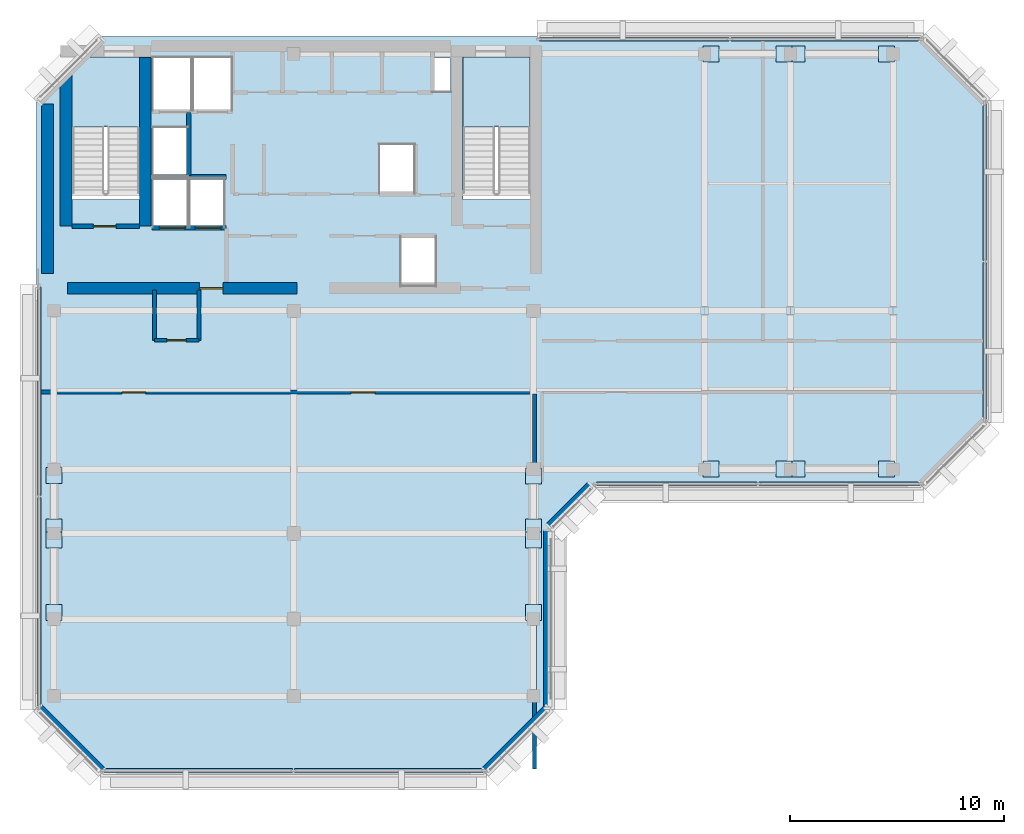
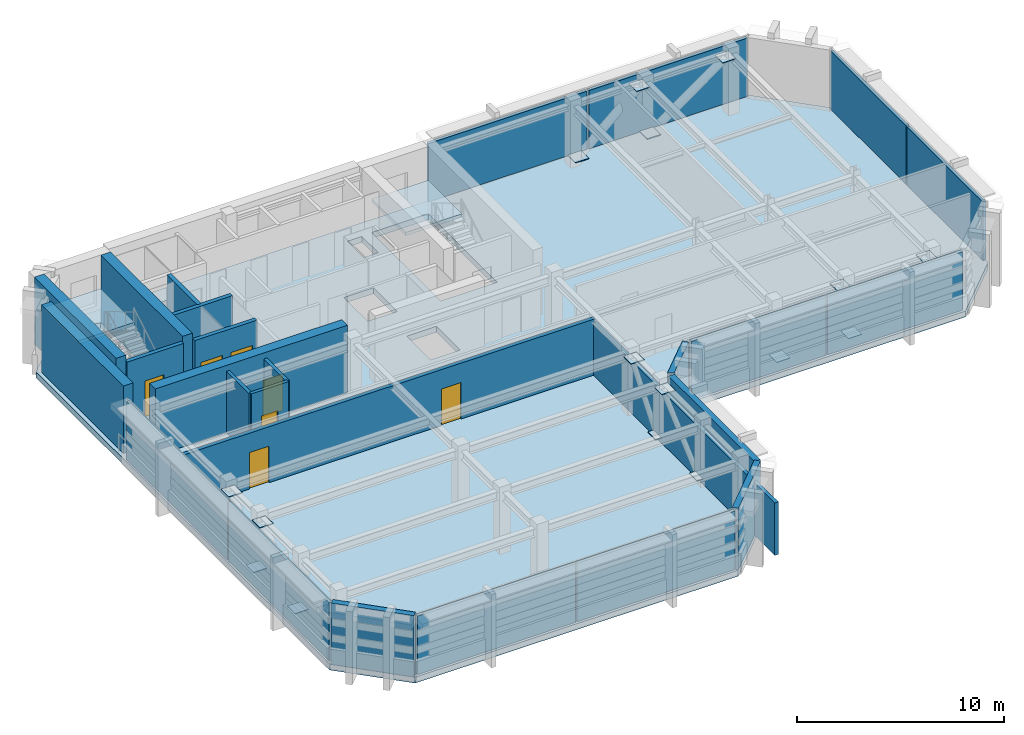
# One storey, part 4 of 9: 26 plates, 17 walls, 7 doors, 3 slabs, 7 openings, 7 elements without a shape of their own.
"""IFC4 building model written with IfcOpenShell, lengths in metres."""

from ifc_helpers import new_model, si_unit, direction, frame, frame_2d, origin, origin_2d, place, context, subcontext, project, spatial, polyline, rectangle, outline, extrude, material, layer, layer_set, type_object, element, fill, aggregate, save


model = new_model("IFC4")

# Units and contexts
model_context = context("Model", 3, precision=1e-05, world=origin(), true_north=direction((0.0, 1.0)))
body_context = subcontext(model_context, "Body", "Model", "MODEL_VIEW")
ifc_project = project(units=[si_unit("LENGTHUNIT", "METRE"), si_unit("AREAUNIT", "SQUARE_METRE"), si_unit("VOLUMEUNIT", "CUBIC_METRE"), si_unit("PLANEANGLEUNIT", "RADIAN"), si_unit("MASSUNIT", "GRAM", prefix="KILO")], contexts=[model_context])

# Site, building, storey
site_placement = place(None, origin())
site = spatial("IfcSite", under=ifc_project, at=site_placement, CompositionType="ELEMENT")
building_placement = place(site_placement, origin())
building = spatial("IfcBuilding", under=site, at=building_placement, Name="Kefirva Bronze Tower", CompositionType="ELEMENT")
storey_placement = place(building_placement, frame((0.0, 0.0, 365.969970703125)))
storey = spatial("IfcBuildingStorey", under=building, at=storey_placement, Name="L89", CompositionType="ELEMENT", Elevation=365.969970703125)

# Curtain wall, plates
ifc_material_1 = material(Name="Bronze anodised aluminium", Category="aluminium")
ifc_layer_1 = layer(ifc_material_1, 0.219970703125, Name="Bronze anodised aluminium")
ifc_layer_set_1 = layer_set([ifc_layer_1], Name="Bronze anodised aluminium")
curtain_wall_type = type_object("IfcCurtainWallType", Name="Refuge Acoustic Louvre Curtain Screen", PredefinedType="USERDEFINED", material=ifc_layer_set_1)
curtain_wall_1_placement = place(storey_placement, origin())
curtain_wall_1 = element("IfcCurtainWall", 1, at=curtain_wall_1_placement, inside=storey, type_object=curtain_wall_type, Name="L89 Curtain Wall 1", ObjectType="LOUVRE SCREEN WALL", PredefinedType="USERDEFINED")
ifc_layer_2 = layer(ifc_material_1, 0.179931640625, Name="Bronze anodised aluminium")
ifc_layer_set_2 = layer_set([ifc_layer_2], Name="Bronze anodised aluminium")
plate_type_1 = type_object("IfcPlateType", Name="Acoustic Weather Louvre Panel 180mm", PredefinedType="CURTAIN_PANEL", material=ifc_layer_set_2)
plate_1_placement = place(storey_placement, frame((7.550048828125, 11.719970703125, 0.08984375), z_axis=(0.0, 0.0, 1.0), x_axis=(1.0, 0.0, 0.0)))
plate_1 = element("IfcPlate", 2, at=plate_1_placement, type_object=plate_type_1, Name="CW-06 panel 1.1", PredefinedType="CURTAIN_PANEL", context=body_context, shape_type="SweptSolid", body=[
    extrude(rectangle(XDim=8.81005859375, YDim=0.179931640625, at=origin_2d()), origin(), (0.0, 0.0, 1.0), 3.429931640625),
])
plate_2_placement = place(storey_placement, frame((16.449951171875, 11.719970703125, 0.08984375), z_axis=(0.0, 0.0, 1.0), x_axis=(1.0, 0.0, 0.0)))
plate_2 = element("IfcPlate", 3, at=plate_2_placement, type_object=plate_type_1, Name="CW-06 panel 2.1", PredefinedType="CURTAIN_PANEL", context=body_context, shape_type="SweptSolid", body=[
    extrude(rectangle(XDim=8.81005859375, YDim=0.179931640625, at=origin_2d()), origin(), (0.0, 0.0, 1.0), 3.429931640625),
])
aggregate(curtain_wall_1, [plate_1, plate_2])

curtain_wall_2_placement = place(storey_placement, origin())
curtain_wall_2 = element("IfcCurtainWall", 4, at=curtain_wall_2_placement, inside=storey, type_object=curtain_wall_type, Name="L89 Curtain Wall 2", ObjectType="LOUVRE SCREEN WALL", PredefinedType="USERDEFINED")
plate_3_placement = place(storey_placement, frame((29.89990234375, 25.1201171875, 0.08984375), z_axis=(0.0, 0.0, 1.0), x_axis=(1.0, 0.0, 0.0)))
plate_3 = element("IfcPlate", 5, at=plate_3_placement, type_object=plate_type_1, Name="CW-06 panel 1.1", PredefinedType="CURTAIN_PANEL", context=body_context, shape_type="SweptSolid", body=[
    extrude(rectangle(XDim=7.510009765625, YDim=0.179931640625, at=origin_2d()), origin(), (0.0, 0.0, 1.0), 3.429931640625),
])
plate_4_placement = place(storey_placement, frame((37.5, 25.1201171875, 0.08984375), z_axis=(0.0, 0.0, 1.0), x_axis=(1.0, 0.0, 0.0)))
plate_4 = element("IfcPlate", 6, at=plate_4_placement, type_object=plate_type_1, Name="CW-06 panel 2.1", PredefinedType="CURTAIN_PANEL", context=body_context, shape_type="SweptSolid", body=[
    extrude(rectangle(XDim=7.510009765625, YDim=0.179931640625, at=origin_2d()), origin(), (0.0, 0.0, 1.0), 3.429931640625),
])
aggregate(curtain_wall_2, [plate_3, plate_4])

curtain_wall_3_placement = place(storey_placement, origin())
curtain_wall_3 = element("IfcCurtainWall", 7, at=curtain_wall_3_placement, inside=storey, type_object=curtain_wall_type, Name="L89 Curtain Wall 3", ObjectType="LOUVRE SCREEN WALL", PredefinedType="USERDEFINED")
plate_5_placement = place(storey_placement, frame((44.280029296875, 31.800048828125, 0.08984375), z_axis=(0.0, 0.0, 1.0), x_axis=(0.0, 1.0, 0.0)))
plate_5 = element("IfcPlate", 8, at=plate_5_placement, type_object=plate_type_1, Name="CW-06 panel 1.1", PredefinedType="CURTAIN_PANEL", context=body_context, shape_type="SweptSolid", body=[
    extrude(rectangle(XDim=7.31005859375, YDim=0.179931640625, at=origin_2d()), origin(), (0.0, 0.0, 1.0), 3.429931640625),
])
plate_6_placement = place(storey_placement, frame((44.280029296875, 39.199951171875, 0.08984375), z_axis=(0.0, 0.0, 1.0), x_axis=(0.0, 1.0, 0.0)))
plate_6 = element("IfcPlate", 9, at=plate_6_placement, type_object=plate_type_1, Name="CW-06 panel 2.1", PredefinedType="CURTAIN_PANEL", context=body_context, shape_type="SweptSolid", body=[
    extrude(rectangle(XDim=7.31005859375, YDim=0.179931640625, at=origin_2d()), origin(), (0.0, 0.0, 1.0), 3.429931640625),
])
aggregate(curtain_wall_3, [plate_5, plate_6])

curtain_wall_4_placement = place(storey_placement, origin())
curtain_wall_4 = element("IfcCurtainWall", 10, at=curtain_wall_4_placement, inside=storey, type_object=curtain_wall_type, Name="L89 Curtain Wall 4", ObjectType="LOUVRE SCREEN WALL", PredefinedType="USERDEFINED")
plate_7_placement = place(storey_placement, frame((36.83740234375, 45.8798828125, 0.08984375), z_axis=(0.0, 0.0, 1.0), x_axis=(-1.0, 0.0, 0.0)))
plate_7 = element("IfcPlate", 11, at=plate_7_placement, type_object=plate_type_1, Name="CW-06 panel 1.1", PredefinedType="CURTAIN_PANEL", context=body_context, shape_type="SweptSolid", body=[
    extrude(rectangle(XDim=8.8349609375, YDim=0.179931640625, at=origin_2d()), origin(), (0.0, 0.0, 1.0), 3.429931640625),
])
plate_8_placement = place(storey_placement, frame((27.91259765625, 45.8798828125, 0.08984375), z_axis=(0.0, 0.0, 1.0), x_axis=(-1.0, 0.0, 0.0)))
plate_8 = element("IfcPlate", 12, at=plate_8_placement, type_object=plate_type_1, Name="CW-06 panel 2.1", PredefinedType="CURTAIN_PANEL", context=body_context, shape_type="SweptSolid", body=[
    extrude(rectangle(XDim=8.8349609375, YDim=0.179931640625, at=origin_2d()), origin(), (0.0, 0.0, 1.0), 3.429931640625),
])
aggregate(curtain_wall_4, [plate_7, plate_8])

curtain_wall_5_placement = place(storey_placement, origin())
curtain_wall_5 = element("IfcCurtainWall", 13, at=curtain_wall_5_placement, inside=storey, type_object=curtain_wall_type, Name="L89 Curtain Wall 5", ObjectType="LOUVRE SCREEN WALL", PredefinedType="USERDEFINED")
plate_9_placement = place(storey_placement, frame((0.1201171875, 29.4375, 0.08984375), z_axis=(0.0, 0.0, 1.0), x_axis=(0.0, -1.0, 0.0)))
plate_9 = element("IfcPlate", 14, at=plate_9_placement, type_object=plate_type_1, Name="CW-06 panel 1.1", PredefinedType="CURTAIN_PANEL", context=body_context, shape_type="SweptSolid", body=[
    extrude(rectangle(XDim=9.735107421875, YDim=0.179931640625, at=origin_2d()), origin(), (0.0, 0.0, 1.0), 3.429931640625),
])
plate_10_placement = place(storey_placement, frame((0.1201171875, 19.612548828125, 0.08984375), z_axis=(0.0, 0.0, 1.0), x_axis=(0.0, -1.0, 0.0)))
plate_10 = element("IfcPlate", 15, at=plate_10_placement, type_object=plate_type_1, Name="CW-06 panel 2.1", PredefinedType="CURTAIN_PANEL", context=body_context, shape_type="SweptSolid", body=[
    extrude(rectangle(XDim=9.735107421875, YDim=0.179931640625, at=origin_2d()), origin(), (0.0, 0.0, 1.0), 3.429931640625),
])
aggregate(curtain_wall_5, [plate_9, plate_10])

# Slab
ifc_material_2 = material(Name="Concrete C50/60", Category="concrete")
ifc_layer_3 = layer(ifc_material_2, 0.35009765625, Name="Concrete C50/60")
ifc_layer_set_3 = layer_set([ifc_layer_3], Name="Concrete C50/60")
slab_type_1 = type_object("IfcSlabType", Name="RC Refuge Plant Slab 350mm", PredefinedType="FLOOR", material=ifc_layer_set_3)
slab_1_placement = place(storey_placement, frame((0.0, 0.0, -0.349853515625)))
element("IfcSlab", 16, at=slab_1_placement, inside=storey, type_object=slab_type_1, Name="L89 Structural Floor Slab", PredefinedType="FLOOR", context=body_context, shape_type="SweptSolid", body=[
    extrude(outline(polyline([(0.0, 14.60009765625), (0.0, 43.0), (1.64990234375, 44.64990234375), (1.64990234375, 38.39990234375), (4.800048828125, 38.39990234375), (4.800048828125, 45.050048828125), (2.050048828125, 45.050048828125), (3.0, 46.0), (41.39990234375, 46.0), (44.39990234375, 43.0), (44.39990234375, 28.0), (41.39990234375, 25.0), (26.0, 25.0), (24.0, 23.0), (24.0, 14.60009765625), (21.0, 11.60009765625), (3.0, 11.60009765625), (0.0, 14.60009765625)]), holes=[polyline([(23.050048828125, 45.050048828125), (19.89990234375, 45.050048828125), (19.89990234375, 38.39990234375), (23.050048828125, 38.39990234375), (23.050048828125, 45.050048828125)]), polyline([(19.320068359375, 43.419921875), (19.320068359375, 45.0), (18.52001953125, 45.0), (18.52001953125, 43.419921875), (19.320068359375, 43.419921875)]), polyline([(18.64990234375, 36.64990234375), (17.0, 36.64990234375), (17.0, 34.35009765625), (18.64990234375, 34.35009765625), (18.64990234375, 36.64990234375)]), polyline([(17.64990234375, 38.679931640625), (17.64990234375, 40.97998046875), (16.0, 40.97998046875), (16.0, 38.679931640625), (17.64990234375, 38.679931640625)]), polyline([(9.1201171875, 42.550048828125), (9.1201171875, 45.050048828125), (7.300048828125, 45.050048828125), (7.300048828125, 42.550048828125), (9.1201171875, 42.550048828125)]), polyline([(8.780029296875, 39.39990234375), (7.139892578125, 39.39990234375), (7.139892578125, 37.10009765625), (8.780029296875, 37.10009765625), (8.780029296875, 39.39990234375)]), polyline([(7.239990234375, 45.050048828125), (5.419921875, 45.050048828125), (5.419921875, 42.550048828125), (7.239990234375, 42.550048828125), (7.239990234375, 45.050048828125)]), polyline([(7.06005859375, 39.47998046875), (7.06005859375, 41.780029296875), (5.419921875, 41.780029296875), (5.419921875, 39.47998046875), (7.06005859375, 39.47998046875)]), polyline([(7.06005859375, 39.39990234375), (5.419921875, 39.39990234375), (5.419921875, 37.10009765625), (7.06005859375, 37.10009765625), (7.06005859375, 39.39990234375)])]), origin(), (0.0, 0.0, 1.0), 0.349853515625),
])

# Stair, slab
ifc_material_3 = material(Name="Concrete C40/50", Category="concrete")
stair_type = type_object("IfcStairType", Name="RC Dogleg Protected Stair 24R", PredefinedType="HALF_TURN_STAIR", material=ifc_material_3)
stair_1_placement = place(storey_placement, origin())
stair_1 = element("IfcStair", 17, at=stair_1_placement, inside=storey, type_object=stair_type, Name="L89 Protected Exit Stair 1", PredefinedType="HALF_TURN_STAIR")
ifc_layer_4 = layer(ifc_material_3, 0.199951171875, Name="Concrete C40/50")
ifc_layer_set_4 = layer_set([ifc_layer_4], Name="Concrete C40/50")
slab_type_2 = type_object("IfcSlabType", Name="RC Stair Landing Slab 200mm", PredefinedType="LANDING", material=ifc_layer_set_4)
slab_2_placement = place(storey_placement, frame((0.0, 0.0, 1.780029296875)))
slab_2 = element("IfcSlab", 18, at=slab_2_placement, type_object=slab_type_2, Name="ST-1 landing 1", PredefinedType="LANDING", context=body_context, shape_type="SweptSolid", body=[
    extrude(outline(polyline([(4.800048828125, 41.780029296875), (4.800048828125, 45.050048828125), (1.64990234375, 45.050048828125), (1.64990234375, 41.780029296875), (4.800048828125, 41.780029296875)])), origin(), (0.0, 0.0, 1.0), 0.199951171875),
])
aggregate(stair_1, [slab_2])

stair_2_placement = place(storey_placement, origin())
stair_2 = element("IfcStair", 19, at=stair_2_placement, inside=storey, type_object=stair_type, Name="L89 Protected Exit Stair 2", PredefinedType="HALF_TURN_STAIR")
slab_3_placement = place(storey_placement, frame((0.0, 0.0, 1.780029296875)))
slab_3 = element("IfcSlab", 20, at=slab_3_placement, type_object=slab_type_2, Name="ST-2 landing 1", PredefinedType="LANDING", context=body_context, shape_type="SweptSolid", body=[
    extrude(outline(polyline([(23.050048828125, 41.780029296875), (23.050048828125, 45.050048828125), (19.89990234375, 45.050048828125), (19.89990234375, 41.780029296875), (23.050048828125, 41.780029296875)])), origin(), (0.0, 0.0, 1.0), 0.199951171875),
])
aggregate(stair_2, [slab_3])

# Plates
ifc_material_4 = material(Name="Steel S460", Category="steel")
ifc_layer_5 = layer(ifc_material_4, 0.0400390625, Name="Steel S460")
ifc_layer_set_5 = layer_set([ifc_layer_5], Name="Steel S460")
plate_type_2 = type_object("IfcPlateType", Name="Steel Node Gusset Plate 40mm", PredefinedType="USERDEFINED", material=ifc_layer_set_5)
for number, where, z_axis, x_axis, name in (
    (21, (0.800048828125, 19.10009765625, 0.280029296875), (0.0, 0.0, 1.0), (1.0, 0.0, 0.0), "L89 Belt Node Gusset 1-1"),
    (22, (0.800048828125, 22.5, 3.2900390625), (0.0, 0.0, 1.0), (1.0, 0.0, 0.0), "L89 Belt Node Gusset 1-2"),
    (23, (0.800048828125, 23.10009765625, 0.280029296875), (0.0, 0.0, 1.0), (1.0, 0.0, 0.0), "L89 Belt Node Gusset 2-1"),
    (24, (0.800048828125, 25.5, 3.2900390625), (0.0, 0.0, 1.0), (1.0, 0.0, 0.0), "L89 Belt Node Gusset 2-2"),
    (25, (23.199951171875, 19.10009765625, 0.280029296875), (0.0, 0.0, 1.0), (1.0, 0.0, 0.0), "L89 Belt Node Gusset 3-1"),
    (26, (23.199951171875, 22.5, 3.2900390625), (0.0, 0.0, 1.0), (1.0, 0.0, 0.0), "L89 Belt Node Gusset 3-2"),
    (27, (23.199951171875, 23.10009765625, 0.280029296875), (0.0, 0.0, 1.0), (1.0, 0.0, 0.0), "L89 Belt Node Gusset 4-1"),
    (28, (23.199951171875, 25.47998046875, 3.2900390625), (0.0, 0.0, 1.0), (1.0, 0.0, 0.0), "L89 Belt Node Gusset 4-2"),
    (29, (31.5, 25.800048828125, 0.280029296875), (0.0, 0.0, 1.0), (1.0, 0.0, 0.0), "L89 Belt Node Gusset 5-1"),
    (30, (34.89990234375, 25.800048828125, 3.2900390625), (0.0, 0.0, 1.0), (1.0, 0.0, 0.0), "L89 Belt Node Gusset 5-2"),
    (31, (35.5, 25.800048828125, 0.280029296875), (0.0, 0.0, 1.0), (1.0, 0.0, 0.0), "L89 Belt Node Gusset 6-1"),
    (32, (39.699951171875, 25.800048828125, 3.2900390625), (0.0, 0.0, 1.0), (1.0, 0.0, 0.0), "L89 Belt Node Gusset 6-2"),
    (33, (31.5, 45.199951171875, 0.280029296875), (0.0, 0.0, 1.0), (1.0, 0.0, 0.0), "L89 Belt Node Gusset 7-1"),
    (34, (34.89990234375, 45.199951171875, 3.2900390625), (0.0, 0.0, 1.0), (1.0, 0.0, 0.0), "L89 Belt Node Gusset 7-2"),
    (35, (35.5, 45.199951171875, 0.280029296875), (0.0, 0.0, 1.0), (1.0, 0.0, 0.0), "L89 Belt Node Gusset 8-1"),
    (36, (39.699951171875, 45.199951171875, 3.2900390625), (0.0, 0.0, 1.0), (1.0, 0.0, 0.0), "L89 Belt Node Gusset 8-2"),
):
    element("IfcPlate", number, at=place(storey_placement, frame(where, z_axis=z_axis, x_axis=x_axis)), inside=storey, type_object=plate_type_2, Name=name, ObjectType="GUSSET PLATE", PredefinedType="USERDEFINED", context=body_context, shape_type="SweptSolid", body=[
        extrude(rectangle(XDim=0.75, YDim=0.75, at=origin_2d()), origin(), (0.0, 0.0, 1.0), 0.0400390625),
    ])

# Wall, opening, door
ifc_material_5 = material(Name="Gypsum fireboard shaftwall")
ifc_layer_6 = layer(ifc_material_5, 0.219970703125, Name="Gypsum fireboard shaftwall")
ifc_layer_set_6 = layer_set([ifc_layer_6], Name="Gypsum fireboard shaftwall")
wall_type_1 = type_object("IfcWallType", Name="Fire-Rated Shaft Enclosure Wall 220mm", PredefinedType="PARTITIONING", material=ifc_layer_set_6)
wall_1_placement = place(storey_placement, frame((1.64990234375, 37.14990234375, 0.0), z_axis=(0.0, 0.0, 1.0), x_axis=(1.0, 0.0, 0.0)))
wall_1 = element("IfcWall", 37, at=wall_1_placement, inside=storey, type_object=wall_type_1, Name="L89 Partition W-L89-ST1S", PredefinedType="PARTITIONING", context=body_context, shape_type="SweptSolid", body=[
    extrude(rectangle(XDim=3.150146484375, YDim=0.219970703125, at=frame_2d((1.5751953125, 0.0))), origin(), (0.0, 0.0, 1.0), 3.610107421875),
])
opening_1_placement = place(wall_1_placement, frame((2.050048828125, 0.0, 0.0), z_axis=(0.0, 0.0, 1.0), x_axis=(-1.0, 0.0, 0.0)))
opening_1 = element("IfcOpeningElement", 38, at=opening_1_placement, cuts=wall_1, Name="Opening L89-D001", PredefinedType="OPENING", context=body_context, shape_type="SweptSolid", body=[
    extrude(rectangle(XDim=1.050048828125, YDim=2.14990234375, at=frame_2d((0.52490234375, 1.074951171875))), frame((0.0, 0.1201171875, 0.0), z_axis=(0.0, -1.0, 0.0), x_axis=(1.0, 0.0, 0.0)), (0.0, 0.0, 1.0), 0.239990234375),
])
ifc_material_6 = material(Name="Painted galvanized steel", Category="steel")
door_type_1 = type_object("IfcDoorType", Name="Fire Stair Enclosure Door 1050x2150 FD90S", OperationType="NOTDEFINED", PredefinedType="DOOR", material=ifc_material_6)
door_1_placement = place(opening_1_placement, origin())
door_1 = element("IfcDoor", 39, at=door_1_placement, inside=storey, type_object=door_type_1, Name="Door L89-D001", OperationType="SINGLE_SWING_LEFT", OverallHeight=2.14990234375, OverallWidth=1.050048828125, PredefinedType="DOOR", context=body_context, shape_type="SweptSolid", body=[
    extrude(rectangle(XDim=1.050048828125, YDim=2.14990234375, at=frame_2d((0.52490234375, 1.074951171875))), frame((0.0, 0.02490234375, 0.0), z_axis=(0.0, -1.0, 0.0), x_axis=(1.0, 0.0, 0.0)), (0.0, 0.0, 1.0), 0.050048828125),
])
fill(opening_1, door_1)

# Wall, openings, doors
wall_2_placement = place(storey_placement, frame((5.3798828125, 37.080078125, 0.0), z_axis=(0.0, 0.0, 1.0), x_axis=(1.0, 0.0, 0.0)))
wall_2 = element("IfcWall", 40, at=wall_2_placement, inside=storey, type_object=wall_type_1, Name="L89 Partition W-L89-FFS", PredefinedType="PARTITIONING", context=body_context, shape_type="SweptSolid", body=[
    extrude(rectangle(XDim=3.460205078125, YDim=0.219970703125, at=frame_2d((1.72998046875, 0.0))), origin(), (0.0, 0.0, 1.0), 3.610107421875),
])
opening_2_placement = place(wall_2_placement, frame((1.550048828125, 0.0, 0.0), z_axis=(0.0, 0.0, 1.0), x_axis=(-1.0, 0.0, 0.0)))
opening_2 = element("IfcOpeningElement", 41, at=opening_2_placement, cuts=wall_2, Name="Opening L89-LD-FF1", PredefinedType="OPENING", context=body_context, shape_type="SweptSolid", body=[
    extrude(rectangle(XDim=1.199951171875, YDim=2.199951171875, at=frame_2d((0.60009765625, 1.10009765625))), frame((0.0, 0.1201171875, 0.0), z_axis=(0.0, -1.0, 0.0), x_axis=(1.0, 0.0, 0.0)), (0.0, 0.0, 1.0), 0.239990234375),
])
opening_3_placement = place(wall_2_placement, frame((3.219970703125, 0.0, 0.0), z_axis=(0.0, 0.0, 1.0), x_axis=(-1.0, 0.0, 0.0)))
opening_3 = element("IfcOpeningElement", 42, at=opening_3_placement, cuts=wall_2, Name="Opening L89-LD-FF2", PredefinedType="OPENING", context=body_context, shape_type="SweptSolid", body=[
    extrude(rectangle(XDim=1.199951171875, YDim=2.199951171875, at=frame_2d((0.60009765625, 1.10009765625))), frame((0.0, 0.1201171875, 0.0), z_axis=(0.0, -1.0, 0.0), x_axis=(1.0, 0.0, 0.0)), (0.0, 0.0, 1.0), 0.239990234375),
])
ifc_material_7 = material(Name="Stainless steel 316", Category="steel")
door_type_2 = type_object("IfcDoorType", Name="Firefighting Lift Sliding Door 1200x2200", OperationType="SLIDING_TO_RIGHT", PredefinedType="DOOR", material=ifc_material_7)
door_2_placement = place(opening_2_placement, origin())
door_2 = element("IfcDoor", 43, at=door_2_placement, inside=storey, type_object=door_type_2, Name="Door L89-LD-FF1", OperationType="SLIDING_TO_RIGHT", OverallHeight=2.199951171875, OverallWidth=1.199951171875, PredefinedType="DOOR", context=body_context, shape_type="SweptSolid", body=[
    extrude(rectangle(XDim=1.199951171875, YDim=2.199951171875, at=frame_2d((0.60009765625, 1.10009765625))), frame((0.0, 0.02490234375, 0.0), z_axis=(0.0, -1.0, 0.0), x_axis=(1.0, 0.0, 0.0)), (0.0, 0.0, 1.0), 0.050048828125),
])
fill(opening_2, door_2)
door_3_placement = place(opening_3_placement, origin())
door_3 = element("IfcDoor", 44, at=door_3_placement, inside=storey, type_object=door_type_2, Name="Door L89-LD-FF2", OperationType="SLIDING_TO_RIGHT", OverallHeight=2.199951171875, OverallWidth=1.199951171875, PredefinedType="DOOR", context=body_context, shape_type="SweptSolid", body=[
    extrude(rectangle(XDim=1.199951171875, YDim=2.199951171875, at=frame_2d((0.60009765625, 1.10009765625))), frame((0.0, 0.02490234375, 0.0), z_axis=(0.0, -1.0, 0.0), x_axis=(1.0, 0.0, 0.0)), (0.0, 0.0, 1.0), 0.050048828125),
])
fill(opening_3, door_3)

# Walls
wall_3_placement = place(storey_placement, frame((5.3798828125, 39.449951171875, 0.0), z_axis=(0.0, 0.0, 1.0), x_axis=(1.0, 0.0, 0.0)))
element("IfcWall", 45, at=wall_3_placement, inside=storey, type_object=wall_type_1, Name="L89 Partition W-L89-FFN", PredefinedType="PARTITIONING", context=body_context, shape_type="SweptSolid", body=[
    extrude(rectangle(XDim=3.460205078125, YDim=0.219970703125, at=frame_2d((1.72998046875, 0.0))), origin(), (0.0, 0.0, 1.0), 3.610107421875),
])
wall_4_placement = place(storey_placement, frame((7.10009765625, 39.52001953125, 0.0), z_axis=(0.0, 0.0, 1.0), x_axis=(0.0, 1.0, 0.0)))
element("IfcWall", 46, at=wall_4_placement, inside=storey, type_object=wall_type_1, Name="L89 Partition W-L89-HP3E", PredefinedType="PARTITIONING", context=body_context, shape_type="SweptSolid", body=[
    extrude(rectangle(XDim=2.929931640625, YDim=0.219970703125, at=frame_2d((1.46484375, 0.0))), origin(), (0.0, 0.0, 1.0), 3.610107421875),
])

# Wall, openings, doors
ifc_material_8 = material(Name="Gypsum fireboard barrier")
ifc_layer_7 = layer(ifc_material_8, 0.199951171875, Name="Gypsum fireboard barrier")
ifc_layer_set_7 = layer_set([ifc_layer_7], Name="Gypsum fireboard barrier")
wall_type_2 = type_object("IfcWallType", Name="Firefighting Lobby Barrier Wall 200mm", PredefinedType="PARTITIONING", material=ifc_layer_set_7)
wall_5_placement = place(storey_placement, frame((0.18994140625, 29.39990234375, 0.0), z_axis=(0.0, 0.0, 1.0), x_axis=(1.0, 0.0, 0.0)))
wall_5 = element("IfcWall", 47, at=wall_5_placement, inside=storey, type_object=wall_type_2, Name="L89 Partition W-L89-REFS", PredefinedType="PARTITIONING", context=body_context, shape_type="SweptSolid", body=[
    extrude(rectangle(XDim=23.06005859375, YDim=0.199951171875, at=frame_2d((11.530029296875, 0.0))), origin(), (0.0, 0.0, 1.0), 3.294921875),
])
opening_4_placement = place(wall_5_placement, frame((3.800048828125, 0.0, 0.0)))
opening_4 = element("IfcOpeningElement", 48, at=opening_4_placement, cuts=wall_5, Name="Opening L89-D-REF1", PredefinedType="OPENING", context=body_context, shape_type="SweptSolid", body=[
    extrude(rectangle(XDim=1.10009765625, YDim=2.14990234375, at=frame_2d((0.550048828125, 1.074951171875))), frame((0.0, 0.10986328125, 0.0), z_axis=(0.0, -1.0, 0.0), x_axis=(1.0, 0.0, 0.0)), (0.0, 0.0, 1.0), 0.219970703125),
])
opening_5_placement = place(wall_5_placement, frame((14.5, 0.0, 0.0)))
opening_5 = element("IfcOpeningElement", 49, at=opening_5_placement, cuts=wall_5, Name="Opening L89-D-REF2", PredefinedType="OPENING", context=body_context, shape_type="SweptSolid", body=[
    extrude(rectangle(XDim=1.10009765625, YDim=2.14990234375, at=frame_2d((0.550048828125, 1.074951171875))), frame((0.0, 0.10986328125, 0.0), z_axis=(0.0, -1.0, 0.0), x_axis=(1.0, 0.0, 0.0)), (0.0, 0.0, 1.0), 0.219970703125),
])
door_type_3 = type_object("IfcDoorType", Name="Firefighting Lobby Smoke Door 1100x2150 FD60S", OperationType="NOTDEFINED", PredefinedType="DOOR", material=ifc_material_6)
door_4_placement = place(opening_4_placement, origin())
door_4 = element("IfcDoor", 50, at=door_4_placement, inside=storey, type_object=door_type_3, Name="Door L89-D-REF1", OperationType="SINGLE_SWING_RIGHT", OverallHeight=2.14990234375, OverallWidth=1.10009765625, PredefinedType="DOOR", context=body_context, shape_type="SweptSolid", body=[
    extrude(rectangle(XDim=1.10009765625, YDim=2.14990234375, at=frame_2d((0.550048828125, 1.074951171875))), frame((0.0, 0.02490234375, 0.0), z_axis=(0.0, -1.0, 0.0), x_axis=(1.0, 0.0, 0.0)), (0.0, 0.0, 1.0), 0.050048828125),
])
fill(opening_4, door_4)
door_5_placement = place(opening_5_placement, origin())
door_5 = element("IfcDoor", 51, at=door_5_placement, inside=storey, type_object=door_type_3, Name="Door L89-D-REF2", OperationType="SINGLE_SWING_LEFT", OverallHeight=2.14990234375, OverallWidth=1.10009765625, PredefinedType="DOOR", context=body_context, shape_type="SweptSolid", body=[
    extrude(rectangle(XDim=1.10009765625, YDim=2.14990234375, at=frame_2d((0.550048828125, 1.074951171875))), frame((0.0, 0.02490234375, 0.0), z_axis=(0.0, -1.0, 0.0), x_axis=(1.0, 0.0, 0.0)), (0.0, 0.0, 1.0), 0.050048828125),
])
fill(opening_5, door_5)

# Walls
wall_6_placement = place(storey_placement, frame((23.25, 11.7900390625, 0.0), z_axis=(0.0, 0.0, 1.0), x_axis=(0.0, 1.0, 0.0)))
element("IfcWall", 52, at=wall_6_placement, inside=storey, type_object=wall_type_2, Name="L89 Partition W-L89-REFE", PredefinedType="PARTITIONING", context=body_context, shape_type="SweptSolid", body=[
    extrude(rectangle(XDim=17.510009765625, YDim=0.199951171875, at=frame_2d((8.7548828125, 0.0))), origin(), (0.0, 0.0, 1.0), 3.094970703125),
])
ifc_material_9 = material(Name="Precast concrete C40/50", Category="concrete")
ifc_layer_8 = layer(ifc_material_9, 0.320068359375, Name="Precast concrete C40/50")
ifc_layer_set_8 = layer_set([ifc_layer_8], Name="Precast concrete C40/50")
wall_type_3 = type_object("IfcWallType", Name="Precast Insulated Exterior Wall 320mm", PredefinedType="SOLIDWALL", material=ifc_layer_set_8)
wall_7_placement = place(storey_placement, frame((20.92578125, 11.751953125, 0.0), z_axis=(0.0, 0.0, 1.0), x_axis=(0.707077242712, 0.707136318428, 0.0)))
element("IfcWall", 53, at=wall_7_placement, inside=storey, type_object=wall_type_3, Name="L89 Exterior Facade Wall 1", PredefinedType="SOLIDWALL", context=body_context, shape_type="SweptSolid", body=[
    extrude(rectangle(XDim=4.132568359375, YDim=0.320068359375, at=frame_2d((2.06640625, 0.0))), origin(), (0.0, 0.0, 1.0), 3.610107421875),
])
wall_8_placement = place(storey_placement, frame((23.840087890625, 14.655029296875, 0.0), z_axis=(0.0, 0.0, 1.0), x_axis=(0.0, 1.0, 0.0)))
element("IfcWall", 54, at=wall_8_placement, inside=storey, type_object=wall_type_3, Name="L89 Exterior Facade Wall 2", PredefinedType="SOLIDWALL", context=body_context, shape_type="SweptSolid", body=[
    extrude(rectangle(XDim=8.2900390625, YDim=0.320068359375, at=frame_2d((4.14501953125, 0.0))), origin(), (0.0, 0.0, 1.0), 3.610107421875),
])
wall_9_placement = place(storey_placement, frame((23.92578125, 23.152099609375, 0.0), z_axis=(0.0, 0.0, 1.0), x_axis=(0.707106781187, 0.707106781187, 0.0)))
element("IfcWall", 55, at=wall_9_placement, inside=storey, type_object=wall_type_3, Name="L89 Exterior Facade Wall 3", PredefinedType="SOLIDWALL", context=body_context, shape_type="SweptSolid", body=[
    extrude(rectangle(XDim=2.71826171875, YDim=0.320068359375, at=frame_2d((1.359130859375, 0.0))), origin(), (0.0, 0.0, 1.0), 3.610107421875),
])
wall_10_placement = place(storey_placement, frame((0.152099609375, 14.67431640625, 0.0), z_axis=(0.0, 0.0, 1.0), x_axis=(0.707077242712, -0.707136318428, 0.0)))
element("IfcWall", 56, at=wall_10_placement, inside=storey, type_object=wall_type_3, Name="L89 Exterior Facade Wall 7", PredefinedType="SOLIDWALL", context=body_context, shape_type="SweptSolid", body=[
    extrude(rectangle(XDim=4.132568359375, YDim=0.320068359375, at=frame_2d((2.06640625, 0.0))), origin(), (0.0, 0.0, 1.0), 3.610107421875),
])
ifc_layer_9 = layer(ifc_material_2, 0.550048828125, Name="Concrete C50/60")
ifc_layer_set_9 = layer_set([ifc_layer_9], Name="Concrete C50/60")
wall_type_4 = type_object("IfcWallType", Name="RC Rear Core Exterior Wall 550mm", PredefinedType="SHEAR", material=ifc_layer_set_9)
wall_11_placement = place(storey_placement, frame((0.5, 34.949951171875, 0.0), z_axis=(0.0, 0.0, 1.0), x_axis=(0.0, 1.0, 0.0)))
element("IfcWall", 57, at=wall_11_placement, inside=storey, type_object=wall_type_4, Name="L89 Rear Core West Shear Wall", PredefinedType="SHEAR", context=body_context, shape_type="SweptSolid", body=[
    extrude(rectangle(XDim=7.900146484375, YDim=0.550048828125, at=frame_2d((3.9501953125, 0.0))), origin(), (0.0, 0.0, 1.0), 3.9599609375),
])

# Wall, opening, door
ifc_layer_10 = layer(ifc_material_2, 0.550048828125, Name="Concrete C50/60")
ifc_layer_set_10 = layer_set([ifc_layer_10], Name="Concrete C50/60")
wall_type_5 = type_object("IfcWallType", Name="RC Rear Core Interior Wall 550mm", PredefinedType="SHEAR", material=ifc_layer_set_10)
wall_12_placement = place(storey_placement, frame((1.449951171875, 34.25, 0.0), z_axis=(0.0, 0.0, 1.0), x_axis=(1.0, 0.0, 0.0)))
wall_12 = element("IfcWall", 58, at=wall_12_placement, inside=storey, type_object=wall_type_5, Name="L89 Rear Core South-West Shear Wall", PredefinedType="SHEAR", context=body_context, shape_type="SweptSolid", body=[
    extrude(rectangle(XDim=10.7099609375, YDim=0.550048828125, at=frame_2d((5.35498046875, 0.0))), origin(), (0.0, 0.0, 1.0), 3.9599609375),
])
opening_6_placement = place(wall_12_placement, frame((7.25, 0.0, 0.0), z_axis=(0.0, 0.0, 1.0), x_axis=(-1.0, 0.0, 0.0)))
opening_6 = element("IfcOpeningElement", 59, at=opening_6_placement, cuts=wall_12, Name="Opening L89-D002", PredefinedType="OPENING", context=body_context, shape_type="SweptSolid", body=[
    extrude(rectangle(XDim=1.10009765625, YDim=2.14990234375, at=frame_2d((0.550048828125, 1.074951171875))), frame((0.0, 0.28515625, 0.0), z_axis=(0.0, -1.0, 0.0), x_axis=(1.0, 0.0, 0.0)), (0.0, 0.0, 1.0), 0.570068359375),
])
door_6_placement = place(opening_6_placement, origin())
door_6 = element("IfcDoor", 60, at=door_6_placement, inside=storey, type_object=door_type_3, Name="Door L89-D002", OperationType="SINGLE_SWING_RIGHT", OverallHeight=2.14990234375, OverallWidth=1.10009765625, PredefinedType="DOOR", context=body_context, shape_type="SweptSolid", body=[
    extrude(rectangle(XDim=1.10009765625, YDim=2.14990234375, at=frame_2d((0.550048828125, 1.074951171875))), frame((0.0, 0.02490234375, 0.0), z_axis=(0.0, -1.0, 0.0), x_axis=(1.0, 0.0, 0.0)), (0.0, 0.0, 1.0), 0.050048828125),
])
fill(opening_6, door_6)

# Walls
for number, where, z_axis, x_axis, name in (
    (61, (1.3701171875, 37.14990234375, 0.0), (0.0, 0.0, 1.0), (0.0, 1.0, 0.0), "L89 Stair 1 West Shear Wall"),
    (62, (5.070068359375, 37.14990234375, 0.0), (0.0, 0.0, 1.0), (0.0, 1.0, 0.0), "L89 Stair 1 East Shear Wall"),
):
    element("IfcWall", number, at=place(storey_placement, frame(where, z_axis=z_axis, x_axis=x_axis)), inside=storey, type_object=wall_type_5, Name=name, PredefinedType="SHEAR", context=body_context, shape_type="SweptSolid", body=[
        extrude(rectangle(XDim=7.89013671875, YDim=0.550048828125, at=frame_2d((3.945068359375, 0.0))), origin(), (0.0, 0.0, 1.0), 3.9599609375),
    ])

# Wall, opening, door
ifc_material_10 = material(Name="Moisture-resistant partition")
ifc_layer_11 = layer(ifc_material_10, 0.179931640625, Name="Moisture-resistant partition")
ifc_layer_set_11 = layer_set([ifc_layer_11], Name="Moisture-resistant partition")
wall_type_6 = type_object("IfcWallType", Name="Sanitary Plumbing Chase Wall 180mm", PredefinedType="PLUMBINGWALL", material=ifc_layer_set_11)
wall_13_placement = place(storey_placement, frame((5.5, 31.820068359375, 0.0), z_axis=(0.0, 0.0, 1.0), x_axis=(1.0, 0.0, 0.0)))
wall_13 = element("IfcWall", 63, at=wall_13_placement, inside=storey, type_object=wall_type_6, Name="L89 Partition W-L89-TCS", PredefinedType="PLUMBINGWALL", context=body_context, shape_type="SweptSolid", body=[
    extrude(rectangle(XDim=2.080078125, YDim=0.179931640625, at=frame_2d((1.0400390625, 0.0))), origin(), (0.0, 0.0, 1.0), 3.610107421875),
])
opening_7_placement = place(wall_13_placement, frame((1.47998046875, 0.0, 0.0), z_axis=(0.0, 0.0, 1.0), x_axis=(-1.0, 0.0, 0.0)))
opening_7 = element("IfcOpeningElement", 64, at=opening_7_placement, cuts=wall_13, Name="Opening L89-D-TCL1", PredefinedType="OPENING", context=body_context, shape_type="SweptSolid", body=[
    extrude(rectangle(XDim=0.89990234375, YDim=2.10009765625, at=frame_2d((0.449951171875, 1.050048828125))), frame((0.0, 0.10009765625, 0.0), z_axis=(0.0, -1.0, 0.0), x_axis=(1.0, 0.0, 0.0)), (0.0, 0.0, 1.0), 0.199951171875),
])
door_type_4 = type_object("IfcDoorType", Name="Telecom & Meter Fire Door 900x2100 FD60S", OperationType="NOTDEFINED", PredefinedType="DOOR", material=ifc_material_6)
door_7_placement = place(opening_7_placement, origin())
door_7 = element("IfcDoor", 65, at=door_7_placement, inside=storey, type_object=door_type_4, Name="Door L89-D-TCL1", OperationType="SINGLE_SWING_RIGHT", OverallHeight=2.10009765625, OverallWidth=0.89990234375, PredefinedType="DOOR", context=body_context, shape_type="SweptSolid", body=[
    extrude(rectangle(XDim=0.89990234375, YDim=2.10009765625, at=frame_2d((0.449951171875, 1.050048828125))), frame((0.0, 0.02490234375, 0.0), z_axis=(0.0, -1.0, 0.0), x_axis=(1.0, 0.0, 0.0)), (0.0, 0.0, 1.0), 0.050048828125),
])
fill(opening_7, door_7)

# Walls
for number, where, z_axis, x_axis, name in (
    (66, (7.580078125, 31.820068359375, 0.0), (0.0, 0.0, 1.0), (0.0, 1.0, 0.0), "L89 Partition W-L89-TCE"),
    (67, (5.5, 31.820068359375, 0.0), (0.0, 0.0, 1.0), (0.0, 1.0, 0.0), "L89 Partition W-L89-TCW"),
):
    element("IfcWall", number, at=place(storey_placement, frame(where, z_axis=z_axis, x_axis=x_axis)), inside=storey, type_object=wall_type_6, Name=name, PredefinedType="PLUMBINGWALL", context=body_context, shape_type="SweptSolid", body=[
        extrude(rectangle(XDim=2.35986328125, YDim=0.179931640625, at=frame_2d((1.179931640625, 0.0))), origin(), (0.0, 0.0, 1.0), 3.610107421875),
    ])

save(model, "model.ifc")
